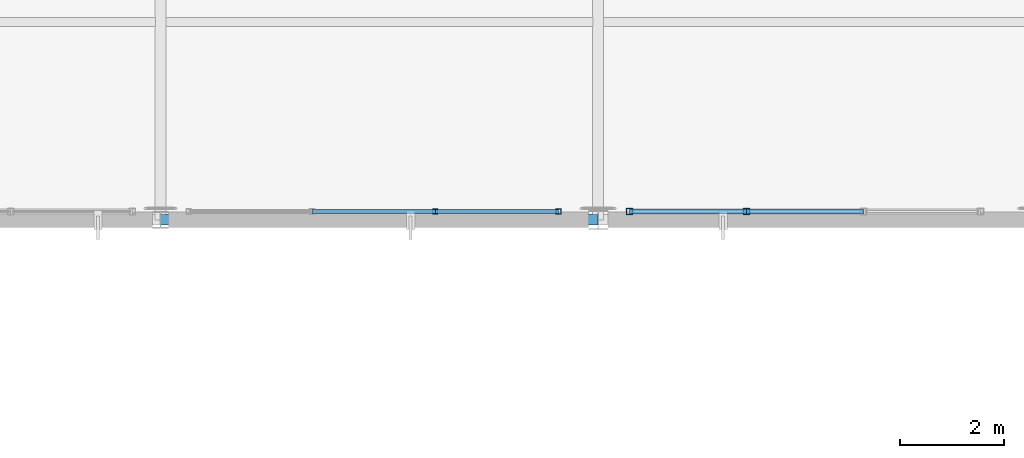
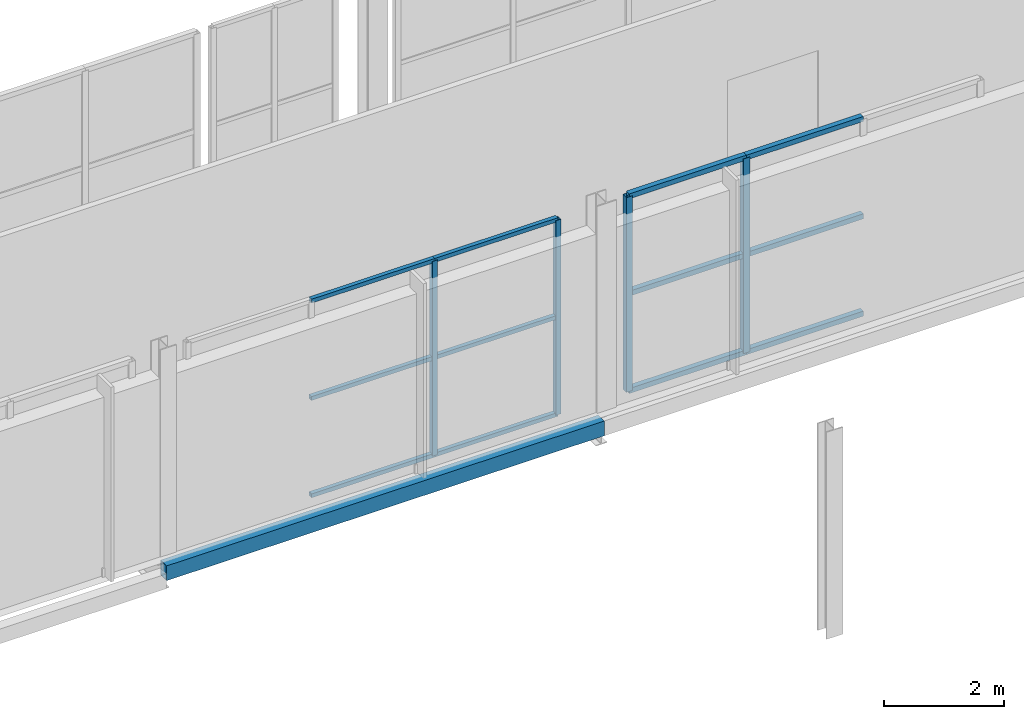
# One storey, part 45 of 217: 16 members, 1 beam, 2 elements without a shape of their own.
"""IFC4 building model written with IfcOpenShell, lengths in metres."""

from ifc_helpers import new_model, si_unit, direction, frame, origin, origin_2d, place, context, subcontext, project, spatial, hollow_rectangle, extrude, material, material_profile, profile_set, type_object, element, aggregate, save


model = new_model("IFC4")

# Units and contexts
model_context = context("Model", 3, precision=1e-05, world=origin(), true_north=direction((0.0, 1.0)))
body_context = subcontext(model_context, "Body", "Model", "MODEL_VIEW")
ifc_project = project(units=[si_unit("LENGTHUNIT", "METRE"), si_unit("AREAUNIT", "SQUARE_METRE"), si_unit("VOLUMEUNIT", "CUBIC_METRE"), si_unit("PLANEANGLEUNIT", "RADIAN"), si_unit("MASSUNIT", "GRAM", prefix="KILO")], contexts=[model_context])

# Site, building, storey
site_placement = place(None, origin())
site = spatial("IfcSite", under=ifc_project, at=site_placement, CompositionType="ELEMENT")
building_placement = place(site_placement, origin())
building = spatial("IfcBuilding", under=site, at=building_placement, Name="Zuvorla Pavilion Media Centre", CompositionType="ELEMENT")
storey_placement = place(building_placement, frame((0.0, 0.0, 9.60009765625)))
storey = spatial("IfcBuildingStorey", under=building, at=storey_placement, Name="L02", CompositionType="ELEMENT", Elevation=9.60009765625)

# Beam
ifc_material_1 = material(Name="Steel S355", Category="steel")
ifc_material_profile_1 = material_profile(ifc_material_1, hollow_rectangle(XDim=0.199951171875, YDim=0.300048828125, WallThickness=0.012451171875, at=origin_2d()), Name="RHS 300x200x12.5")
ifc_profile_set_1 = profile_set([ifc_material_profile_1], Name="Steel S355")
beam_type = type_object("IfcBeamType", Name="BM-SP-RHS300", PredefinedType="SPANDREL", material=ifc_profile_set_1)
beam_placement = place(storey_placement, frame((117.199951171875, 44.0, -0.418212890625), z_axis=(1.0, 0.0, 0.0), x_axis=(0.0, 1.0, 0.0)))
element("IfcBeam", 1, at=beam_placement, inside=storey, type_object=beam_type, Name="L02 spandrel SP01 830", PredefinedType="SPANDREL", context=body_context, shape_type="SweptSolid", body=[
    extrude(hollow_rectangle(XDim=0.199951171875, YDim=0.300048828125, WallThickness=0.012451171875, at=origin_2d()), origin(), (0.0, 0.0, 1.0), 8.400146484375),
])

# Curtain wall, members
ifc_material_2 = material(Name="Unitised anodised aluminium and solar glass curtain wall", Category="aluminium")
curtain_wall_type_1 = type_object("IfcCurtainWallType", Name="CW-SYS-25", PredefinedType="USERDEFINED", material=ifc_material_2)
curtain_wall_1_placement = place(storey_placement, origin())
curtain_wall_1 = element("IfcCurtainWall", 2, at=curtain_wall_1_placement, inside=storey, type_object=curtain_wall_type_1, Name="L02 curtain wall CW25 44", ObjectType="CURTAIN WALL", PredefinedType="USERDEFINED")
ifc_material_3 = material(Name="Anodised aluminium 6063-T6", Category="aluminium")
ifc_material_profile_2 = material_profile(ifc_material_3, hollow_rectangle(XDim=0.10009765625, YDim=0.10009765625, WallThickness=0.00439453125, at=origin_2d()), Name="ALU MULL 100x100")
ifc_profile_set_2 = profile_set([ifc_material_profile_2], Name="Anodised aluminium 6063-T6")
member_type_1 = type_object("IfcMemberType", Name="CW-MULL-100", PredefinedType="MULLION", material=ifc_profile_set_2)
member_1_placement = place(storey_placement, frame((122.47412109375, 44.159912109375, 0.0), z_axis=(0.0, 0.0, 1.0), x_axis=(1.0, 0.0, 0.0)))
member_1 = element("IfcMember", 3, at=member_1_placement, type_object=member_type_1, Name="CW25 mullion 3", PredefinedType="MULLION", context=body_context, shape_type="SweptSolid", body=[
    extrude(hollow_rectangle(XDim=0.10009765625, YDim=0.10009765625, WallThickness=0.00439453125, at=origin_2d()), origin(), (0.0, 0.0, 1.0), 3.949951171875),
])
member_2_placement = place(storey_placement, frame((124.840087890625, 44.159912109375, 0.0), z_axis=(0.0, 0.0, 1.0), x_axis=(1.0, 0.0, 0.0)))
member_2 = element("IfcMember", 4, at=member_2_placement, type_object=member_type_1, Name="CW25 mullion 4", PredefinedType="MULLION", context=body_context, shape_type="SweptSolid", body=[
    extrude(hollow_rectangle(XDim=0.10009765625, YDim=0.10009765625, WallThickness=0.00439453125, at=origin_2d()), origin(), (0.0, 0.0, 1.0), 3.949951171875),
])

curtain_wall_type_2 = type_object("IfcCurtainWallType", Name="CW-SYS-26", PredefinedType="USERDEFINED", material=ifc_material_2)
curtain_wall_2_placement = place(storey_placement, origin())
curtain_wall_2 = element("IfcCurtainWall", 5, at=curtain_wall_2_placement, inside=storey, type_object=curtain_wall_type_2, Name="L02 curtain wall CW26 45", ObjectType="CURTAIN WALL", PredefinedType="USERDEFINED")
ifc_material_profile_3 = material_profile(ifc_material_3, hollow_rectangle(XDim=0.1201171875, YDim=0.1201171875, WallThickness=0.0048828125, at=origin_2d()), Name="ALU MULL 120x120")
ifc_profile_set_3 = profile_set([ifc_material_profile_3], Name="Anodised aluminium 6063-T6")
member_type_2 = type_object("IfcMemberType", Name="CW-MULL-120", PredefinedType="MULLION", material=ifc_profile_set_3)
member_3_placement = place(storey_placement, frame((126.2001953125, 44.159912109375, 0.0), z_axis=(0.0, 0.0, 1.0), x_axis=(1.0, 0.0, 0.0)))
member_3 = element("IfcMember", 6, at=member_3_placement, type_object=member_type_2, Name="CW26 mullion 1", PredefinedType="MULLION", context=body_context, shape_type="SweptSolid", body=[
    extrude(hollow_rectangle(XDim=0.1201171875, YDim=0.1201171875, WallThickness=0.0048828125, at=origin_2d()), origin(), (0.0, 0.0, 1.0), 3.949951171875),
])
member_4_placement = place(storey_placement, frame((128.44677734375, 44.159912109375, 0.0), z_axis=(0.0, 0.0, 1.0), x_axis=(1.0, 0.0, 0.0)))
member_4 = element("IfcMember", 7, at=member_4_placement, type_object=member_type_2, Name="CW26 mullion 2", PredefinedType="MULLION", context=body_context, shape_type="SweptSolid", body=[
    extrude(hollow_rectangle(XDim=0.1201171875, YDim=0.1201171875, WallThickness=0.0048828125, at=origin_2d()), origin(), (0.0, 0.0, 1.0), 3.949951171875),
])
ifc_material_profile_4 = material_profile(ifc_material_3, hollow_rectangle(XDim=0.10009765625, YDim=0.10009765625, WallThickness=0.00439453125, at=origin_2d()), Name="ALU TRAN 100x100")
ifc_profile_set_4 = profile_set([ifc_material_profile_4], Name="Anodised aluminium 6063-T6")
member_type_3 = type_object("IfcMemberType", Name="CW-TRAN-100", PredefinedType="USERDEFINED", material=ifc_profile_set_4)
member_5_placement = place(storey_placement, frame((126.2001953125, 44.159912109375, 0.0), z_axis=(1.0, 0.0, 0.0), x_axis=(0.0, 1.0, 0.0)))
member_5 = element("IfcMember", 8, at=member_5_placement, type_object=member_type_3, Name="CW26 transom 1.1", ObjectType="TRANSOM", PredefinedType="USERDEFINED", context=body_context, shape_type="SweptSolid", body=[
    extrude(hollow_rectangle(XDim=0.10009765625, YDim=0.10009765625, WallThickness=0.00439453125, at=origin_2d()), origin(), (0.0, 0.0, 1.0), 2.24658203125),
])
member_6_placement = place(storey_placement, frame((126.2001953125, 44.159912109375, 1.974853515625), z_axis=(1.0, 0.0, 0.0), x_axis=(0.0, 1.0, 0.0)))
member_6 = element("IfcMember", 9, at=member_6_placement, type_object=member_type_3, Name="CW26 transom 1.2", ObjectType="TRANSOM", PredefinedType="USERDEFINED", context=body_context, shape_type="SweptSolid", body=[
    extrude(hollow_rectangle(XDim=0.10009765625, YDim=0.10009765625, WallThickness=0.00439453125, at=origin_2d()), origin(), (0.0, 0.0, 1.0), 2.24658203125),
])
member_7_placement = place(storey_placement, frame((126.2001953125, 44.159912109375, 3.949951171875), z_axis=(1.0, 0.0, 0.0), x_axis=(0.0, 1.0, 0.0)))
member_7 = element("IfcMember", 10, at=member_7_placement, type_object=member_type_3, Name="CW26 transom 1.3", ObjectType="TRANSOM", PredefinedType="USERDEFINED", context=body_context, shape_type="SweptSolid", body=[
    extrude(hollow_rectangle(XDim=0.10009765625, YDim=0.10009765625, WallThickness=0.00439453125, at=origin_2d()), origin(), (0.0, 0.0, 1.0), 2.24658203125),
])
member_8_placement = place(storey_placement, frame((128.44677734375, 44.159912109375, 0.0), z_axis=(1.0, 0.0, 0.0), x_axis=(0.0, 1.0, 0.0)))
member_8 = element("IfcMember", 11, at=member_8_placement, type_object=member_type_3, Name="CW26 transom 2.1", ObjectType="TRANSOM", PredefinedType="USERDEFINED", context=body_context, shape_type="SweptSolid", body=[
    extrude(hollow_rectangle(XDim=0.10009765625, YDim=0.10009765625, WallThickness=0.00439453125, at=origin_2d()), origin(), (0.0, 0.0, 1.0), 2.24658203125),
])
member_9_placement = place(storey_placement, frame((128.44677734375, 44.159912109375, 1.974853515625), z_axis=(1.0, 0.0, 0.0), x_axis=(0.0, 1.0, 0.0)))
member_9 = element("IfcMember", 12, at=member_9_placement, type_object=member_type_3, Name="CW26 transom 2.2", ObjectType="TRANSOM", PredefinedType="USERDEFINED", context=body_context, shape_type="SweptSolid", body=[
    extrude(hollow_rectangle(XDim=0.10009765625, YDim=0.10009765625, WallThickness=0.00439453125, at=origin_2d()), origin(), (0.0, 0.0, 1.0), 2.24658203125),
])
member_10_placement = place(storey_placement, frame((128.44677734375, 44.159912109375, 3.949951171875), z_axis=(1.0, 0.0, 0.0), x_axis=(0.0, 1.0, 0.0)))
member_10 = element("IfcMember", 13, at=member_10_placement, type_object=member_type_3, Name="CW26 transom 2.3", ObjectType="TRANSOM", PredefinedType="USERDEFINED", context=body_context, shape_type="SweptSolid", body=[
    extrude(hollow_rectangle(XDim=0.10009765625, YDim=0.10009765625, WallThickness=0.00439453125, at=origin_2d()), origin(), (0.0, 0.0, 1.0), 2.24658203125),
])
aggregate(curtain_wall_2, [member_3, member_4, member_5, member_6, member_7, member_8, member_9, member_10])

# Member
ifc_material_profile_5 = material_profile(ifc_material_3, hollow_rectangle(XDim=0.080078125, YDim=0.080078125, WallThickness=0.00390625, at=origin_2d()), Name="ALU TRAN 80x80")
ifc_profile_set_5 = profile_set([ifc_material_profile_5], Name="Anodised aluminium 6063-T6")
member_type_4 = type_object("IfcMemberType", Name="CW-TRAN-80", PredefinedType="USERDEFINED", material=ifc_profile_set_5)
member_11_placement = place(storey_placement, frame((120.1083984375, 44.159912109375, 0.0), z_axis=(1.0, 0.0, 0.0), x_axis=(0.0, 1.0, 0.0)))
member_11 = element("IfcMember", 14, at=member_11_placement, type_object=member_type_4, Name="CW25 transom 2.1", ObjectType="TRANSOM", PredefinedType="USERDEFINED", context=body_context, shape_type="SweptSolid", body=[
    extrude(hollow_rectangle(XDim=0.080078125, YDim=0.080078125, WallThickness=0.00390625, at=origin_2d()), origin(), (0.0, 0.0, 1.0), 2.36572265625),
])

member_12_placement = place(storey_placement, frame((120.1083984375, 44.159912109375, 1.974853515625), z_axis=(1.0, 0.0, 0.0), x_axis=(0.0, 1.0, 0.0)))
member_12 = element("IfcMember", 15, at=member_12_placement, type_object=member_type_4, Name="CW25 transom 2.2", ObjectType="TRANSOM", PredefinedType="USERDEFINED", context=body_context, shape_type="SweptSolid", body=[
    extrude(hollow_rectangle(XDim=0.080078125, YDim=0.080078125, WallThickness=0.00390625, at=origin_2d()), origin(), (0.0, 0.0, 1.0), 2.36572265625),
])

member_13_placement = place(storey_placement, frame((120.1083984375, 44.159912109375, 3.949951171875), z_axis=(1.0, 0.0, 0.0), x_axis=(0.0, 1.0, 0.0)))
member_13 = element("IfcMember", 16, at=member_13_placement, type_object=member_type_4, Name="CW25 transom 2.3", ObjectType="TRANSOM", PredefinedType="USERDEFINED", context=body_context, shape_type="SweptSolid", body=[
    extrude(hollow_rectangle(XDim=0.080078125, YDim=0.080078125, WallThickness=0.00390625, at=origin_2d()), origin(), (0.0, 0.0, 1.0), 2.36572265625),
])

member_14_placement = place(storey_placement, frame((122.47412109375, 44.159912109375, 0.0), z_axis=(1.0, 0.0, 0.0), x_axis=(0.0, 1.0, 0.0)))
member_14 = element("IfcMember", 17, at=member_14_placement, type_object=member_type_4, Name="CW25 transom 3.1", ObjectType="TRANSOM", PredefinedType="USERDEFINED", context=body_context, shape_type="SweptSolid", body=[
    extrude(hollow_rectangle(XDim=0.080078125, YDim=0.080078125, WallThickness=0.00390625, at=origin_2d()), origin(), (0.0, 0.0, 1.0), 2.365966796875),
])

member_15_placement = place(storey_placement, frame((122.47412109375, 44.159912109375, 1.974853515625), z_axis=(1.0, 0.0, 0.0), x_axis=(0.0, 1.0, 0.0)))
member_15 = element("IfcMember", 18, at=member_15_placement, type_object=member_type_4, Name="CW25 transom 3.2", ObjectType="TRANSOM", PredefinedType="USERDEFINED", context=body_context, shape_type="SweptSolid", body=[
    extrude(hollow_rectangle(XDim=0.080078125, YDim=0.080078125, WallThickness=0.00390625, at=origin_2d()), origin(), (0.0, 0.0, 1.0), 2.365966796875),
])

member_16_placement = place(storey_placement, frame((122.47412109375, 44.159912109375, 3.949951171875), z_axis=(1.0, 0.0, 0.0), x_axis=(0.0, 1.0, 0.0)))
member_16 = element("IfcMember", 19, at=member_16_placement, type_object=member_type_4, Name="CW25 transom 3.3", ObjectType="TRANSOM", PredefinedType="USERDEFINED", context=body_context, shape_type="SweptSolid", body=[
    extrude(hollow_rectangle(XDim=0.080078125, YDim=0.080078125, WallThickness=0.00390625, at=origin_2d()), origin(), (0.0, 0.0, 1.0), 2.365966796875),
])

aggregate(curtain_wall_1, [member_1, member_2, member_11, member_12, member_13, member_14, member_15, member_16])

save(model, "model.ifc")
